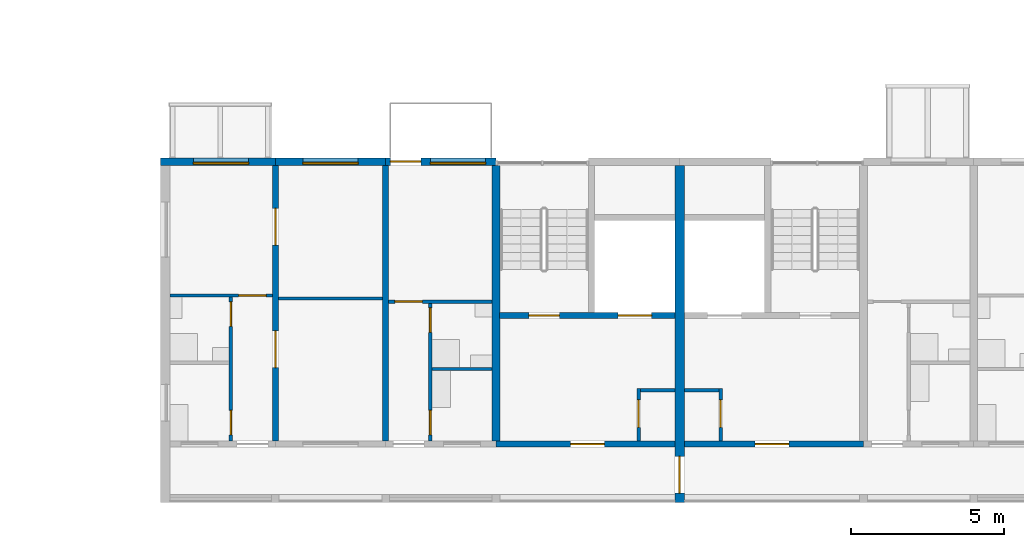
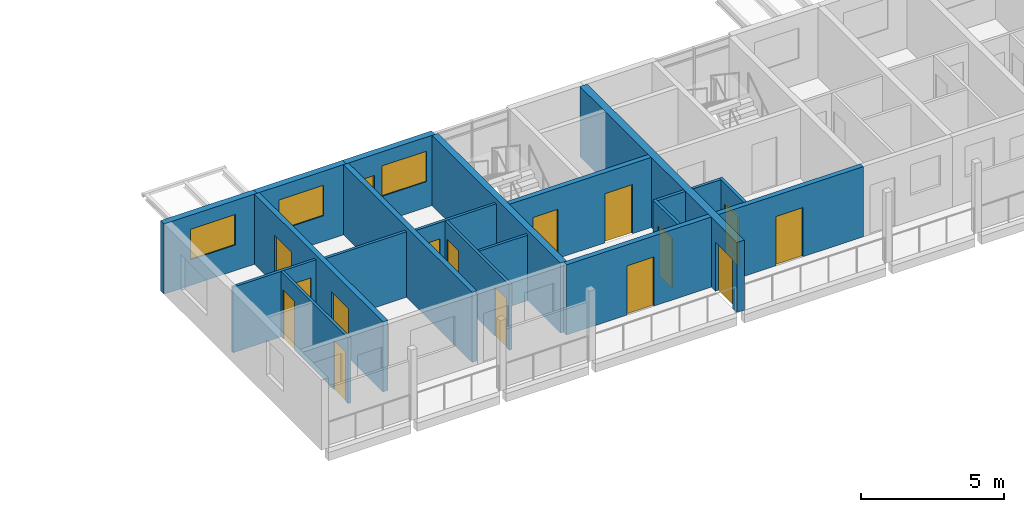
# One storey, part 46 of 98: 20 walls, 16 doors, 3 windows, 19 openings.
"""IFC4 building model written with IfcOpenShell, lengths in metres."""

from ifc_helpers import new_model, si_unit, direction, frame, frame_2d, origin, place, context, subcontext, project, spatial, rectangle, extrude, material, layer, layer_set, type_object, element, fill, save


model = new_model("IFC4")

# Units and contexts
model_context = context("Model", 3, precision=1e-05, world=origin(), true_north=direction((0.0, 1.0)))
body_context = subcontext(model_context, "Body", "Model", "MODEL_VIEW")
ifc_project = project(units=[si_unit("LENGTHUNIT", "METRE"), si_unit("AREAUNIT", "SQUARE_METRE"), si_unit("VOLUMEUNIT", "CUBIC_METRE"), si_unit("PLANEANGLEUNIT", "RADIAN"), si_unit("MASSUNIT", "GRAM", prefix="KILO")], contexts=[model_context])

# Site, building, storey
site_placement = place(None, origin())
site = spatial("IfcSite", under=ifc_project, at=site_placement, CompositionType="ELEMENT")
building_placement = place(site_placement, origin())
building = spatial("IfcBuilding", under=site, at=building_placement, Name="Ridgestep Commons", CompositionType="ELEMENT")
storey_placement = place(building_placement, frame((0.0, 0.0, 12.0)))
storey = spatial("IfcBuildingStorey", under=building, at=storey_placement, Name="L04", CompositionType="ELEMENT", Elevation=12.0)

# Wall
ifc_material_1 = material(Name="Concrete C30/37", Category="concrete")
ifc_layer_1 = layer(ifc_material_1, 0.25)
ifc_layer_set_1 = layer_set([ifc_layer_1], Name="Core cross wall 250")
wall_type_1 = type_object("IfcWallType", Name="Core cross wall 250", PredefinedType="SHEAR", material=ifc_layer_set_1)
wall_1_placement = place(storey_placement, frame((157.60009765625, 13.75, 0.0), z_axis=(0.0, 0.0, 1.0), x_axis=(0.0, 1.0, 0.0)))
element("IfcWall", 1, at=wall_1_placement, inside=storey, type_object=wall_type_1, Name="Cross wall D-04-1576", PredefinedType="SHEAR", context=body_context, shape_type="SweptSolid", body=[
    extrude(rectangle(XDim=9.0, YDim=0.25, at=frame_2d((4.5, 0.0))), origin(), (0.0, 0.0, 1.0), 3.0),
])

# Wall, opening, door
ifc_material_2 = material(Name="Concrete C30/37", Category="concrete")
ifc_layer_2 = layer(ifc_material_2, 0.199951171875)
ifc_layer_set_2 = layer_set([ifc_layer_2], Name="Core south wall 200")
wall_type_2 = type_object("IfcWallType", Name="Core south wall 200", PredefinedType="SHEAR", material=ifc_layer_set_2)
wall_2_placement = place(storey_placement, frame((157.60009765625, 13.64990234375, 0.0), z_axis=(0.0, 0.0, 1.0), x_axis=(1.0, 0.0, 0.0)))
wall_2 = element("IfcWall", 2, at=wall_2_placement, inside=storey, type_object=wall_type_2, Name="Core south wall D1C L04", PredefinedType="SHEAR", context=body_context, shape_type="SweptSolid", body=[
    extrude(rectangle(XDim=5.849853515625, YDim=0.199951171875, at=frame_2d((2.9248046875, 0.0))), origin(), (0.0, 0.0, 1.0), 3.0),
])
opening_1_placement = place(wall_2_placement, frame((2.4375, 0.0, 0.0)))
opening_1 = element("IfcOpeningElement", 3, at=opening_1_placement, cuts=wall_2, Name="Opening D1C/04/1", PredefinedType="OPENING", context=body_context, shape_type="SweptSolid", body=[
    extrude(rectangle(XDim=1.10009765625, YDim=2.10009765625, at=frame_2d((0.550048828125, 1.050048828125))), frame((0.0, 0.10986328125, 0.0), z_axis=(0.0, -1.0, 0.0), x_axis=(1.0, 0.0, 0.0)), (0.0, 0.0, 1.0), 0.219970703125),
])
ifc_material_3 = material(Name="Steel fire door", Category="steel")
door_type_1 = type_object("IfcDoorType", Name="Lobby door 1100 x 2100 FD60", OperationType="NOTDEFINED", PredefinedType="DOOR", material=ifc_material_3)
door_1_placement = place(opening_1_placement, origin())
door_1 = element("IfcDoor", 4, at=door_1_placement, inside=storey, type_object=door_type_1, Name="Lobby door D1C/04/1", OperationType="SINGLE_SWING_LEFT", OverallHeight=2.10009765625, OverallWidth=1.10009765625, PredefinedType="DOOR", context=body_context, shape_type="SweptSolid", body=[
    extrude(rectangle(XDim=1.10009765625, YDim=2.10009765625, at=frame_2d((0.550048828125, 1.050048828125))), frame((0.0, 0.02490234375, 0.0), z_axis=(0.0, -1.0, 0.0), x_axis=(1.0, 0.0, 0.0)), (0.0, 0.0, 1.0), 0.050048828125),
])
fill(opening_1, door_1)

wall_3_placement = place(storey_placement, frame((163.75, 13.64990234375, 0.0), z_axis=(0.0, 0.0, 1.0), x_axis=(1.0, 0.0, 0.0)))
wall_3 = element("IfcWall", 5, at=wall_3_placement, inside=storey, type_object=wall_type_2, Name="Core south wall D2C L04", PredefinedType="SHEAR", context=body_context, shape_type="SweptSolid", body=[
    extrude(rectangle(XDim=5.85009765625, YDim=0.199951171875, at=frame_2d((2.925048828125, 0.0))), origin(), (0.0, 0.0, 1.0), 3.0),
])
opening_2_placement = place(wall_3_placement, frame((2.3125, 0.0, 0.0)))
opening_2 = element("IfcOpeningElement", 6, at=opening_2_placement, cuts=wall_3, Name="Opening D2C/04/1", PredefinedType="OPENING", context=body_context, shape_type="SweptSolid", body=[
    extrude(rectangle(XDim=1.10009765625, YDim=2.10009765625, at=frame_2d((0.550048828125, 1.050048828125))), frame((0.0, 0.10986328125, 0.0), z_axis=(0.0, -1.0, 0.0), x_axis=(1.0, 0.0, 0.0)), (0.0, 0.0, 1.0), 0.219970703125),
])
door_2_placement = place(opening_2_placement, origin())
door_2 = element("IfcDoor", 7, at=door_2_placement, inside=storey, type_object=door_type_1, Name="Lobby door D2C/04/1", OperationType="SINGLE_SWING_LEFT", OverallHeight=2.10009765625, OverallWidth=1.10009765625, PredefinedType="DOOR", context=body_context, shape_type="SweptSolid", body=[
    extrude(rectangle(XDim=1.10009765625, YDim=2.10009765625, at=frame_2d((0.550048828125, 1.050048828125))), frame((0.0, 0.02490234375, 0.0), z_axis=(0.0, -1.0, 0.0), x_axis=(1.0, 0.0, 0.0)), (0.0, 0.0, 1.0), 0.050048828125),
])
fill(opening_2, door_2)

ifc_material_4 = material(Name="Concrete C30/37", Category="concrete")
ifc_layer_3 = layer(ifc_material_4, 0.1201171875)
ifc_layer_set_3 = layer_set([ifc_layer_3], Name="Core wall 120")
wall_type_3 = type_object("IfcWallType", Name="Core wall 120", PredefinedType="SHEAR", material=ifc_layer_set_3)
wall_4_placement = place(storey_placement, frame((162.260009765625, 13.75, 0.0), z_axis=(0.0, 0.0, 1.0), x_axis=(0.0, 1.0, 0.0)))
wall_4 = element("IfcWall", 8, at=wall_4_placement, inside=storey, type_object=wall_type_3, Name="Core riser w wall D1C L04", PredefinedType="SHEAR", context=body_context, shape_type="SweptSolid", body=[
    extrude(rectangle(XDim=1.719970703125, YDim=0.1201171875, at=frame_2d((0.85986328125, 0.0))), origin(), (0.0, 0.0, 1.0), 3.0),
])
opening_3_placement = place(wall_4_placement, frame((0.449951171875, 0.0, 0.0)))
opening_3 = element("IfcOpeningElement", 9, at=opening_3_placement, cuts=wall_4, Name="Opening D1C/04/4", PredefinedType="OPENING", context=body_context, shape_type="SweptSolid", body=[
    extrude(rectangle(XDim=0.89990234375, YDim=2.10009765625, at=frame_2d((0.449951171875, 1.050048828125))), frame((0.0, 0.070068359375, 0.0), z_axis=(0.0, -1.0, 0.0), x_axis=(1.0, 0.0, 0.0)), (0.0, 0.0, 1.0), 0.14013671875),
])
ifc_material_5 = material(Name="Steel fire door", Category="steel")
door_type_2 = type_object("IfcDoorType", Name="Riser door 900 x 2100 FD60", OperationType="NOTDEFINED", PredefinedType="DOOR", material=ifc_material_5)
door_3_placement = place(opening_3_placement, origin())
door_3 = element("IfcDoor", 10, at=door_3_placement, inside=storey, type_object=door_type_2, Name="Riser door D1C/04/4", OperationType="SINGLE_SWING_LEFT", OverallHeight=2.10009765625, OverallWidth=0.89990234375, PredefinedType="DOOR", context=body_context, shape_type="SweptSolid", body=[
    extrude(rectangle(XDim=0.89990234375, YDim=2.10009765625, at=frame_2d((0.449951171875, 1.050048828125))), frame((0.0, 0.02490234375, 0.0), z_axis=(0.0, -1.0, 0.0), x_axis=(1.0, 0.0, 0.0)), (0.0, 0.0, 1.0), 0.050048828125),
])
fill(opening_3, door_3)

# Wall
wall_5_placement = place(storey_placement, frame((162.320068359375, 15.409912109375, 0.0), z_axis=(0.0, 0.0, 1.0), x_axis=(1.0, 0.0, 0.0)))
element("IfcWall", 11, at=wall_5_placement, inside=storey, type_object=wall_type_3, Name="Core riser n wall D1C L04", PredefinedType="SHEAR", context=body_context, shape_type="SweptSolid", body=[
    extrude(rectangle(XDim=1.1298828125, YDim=0.1201171875, at=frame_2d((0.56494140625, 0.0))), origin(), (0.0, 0.0, 1.0), 3.0),
])

# Wall, opening, door
wall_6_placement = place(storey_placement, frame((164.93994140625, 13.75, 0.0), z_axis=(0.0, 0.0, 1.0), x_axis=(0.0, 1.0, 0.0)))
wall_6 = element("IfcWall", 12, at=wall_6_placement, inside=storey, type_object=wall_type_3, Name="Core riser w wall D2C L04", PredefinedType="SHEAR", context=body_context, shape_type="SweptSolid", body=[
    extrude(rectangle(XDim=1.719970703125, YDim=0.1201171875, at=frame_2d((0.85986328125, 0.0))), origin(), (0.0, 0.0, 1.0), 3.0),
])
opening_4_placement = place(wall_6_placement, frame((0.449951171875, 0.0, 0.0)))
opening_4 = element("IfcOpeningElement", 13, at=opening_4_placement, cuts=wall_6, Name="Opening D2C/04/4", PredefinedType="OPENING", context=body_context, shape_type="SweptSolid", body=[
    extrude(rectangle(XDim=0.89990234375, YDim=2.10009765625, at=frame_2d((0.449951171875, 1.050048828125))), frame((0.0, 0.070068359375, 0.0), z_axis=(0.0, -1.0, 0.0), x_axis=(1.0, 0.0, 0.0)), (0.0, 0.0, 1.0), 0.14013671875),
])
door_4_placement = place(opening_4_placement, origin())
door_4 = element("IfcDoor", 14, at=door_4_placement, inside=storey, type_object=door_type_2, Name="Riser door D2C/04/4", OperationType="SINGLE_SWING_RIGHT", OverallHeight=2.10009765625, OverallWidth=0.89990234375, PredefinedType="DOOR", context=body_context, shape_type="SweptSolid", body=[
    extrude(rectangle(XDim=0.89990234375, YDim=2.10009765625, at=frame_2d((0.449951171875, 1.050048828125))), frame((0.0, 0.02490234375, 0.0), z_axis=(0.0, -1.0, 0.0), x_axis=(1.0, 0.0, 0.0)), (0.0, 0.0, 1.0), 0.050048828125),
])
fill(opening_4, door_4)

# Wall
wall_7_placement = place(storey_placement, frame((163.75, 15.409912109375, 0.0), z_axis=(0.0, 0.0, 1.0), x_axis=(1.0, 0.0, 0.0)))
element("IfcWall", 15, at=wall_7_placement, inside=storey, type_object=wall_type_3, Name="Core riser n wall D2C L04", PredefinedType="SHEAR", context=body_context, shape_type="SweptSolid", body=[
    extrude(rectangle(XDim=1.1298828125, YDim=0.1201171875, at=frame_2d((0.56494140625, 0.0))), origin(), (0.0, 0.0, 1.0), 3.0),
])

# Wall, openings, doors
ifc_material_6 = material(Name="Concrete C30/37", Category="concrete")
ifc_layer_4 = layer(ifc_material_6, 0.199951171875)
ifc_layer_set_4 = layer_set([ifc_layer_4], Name="Core wall 200")
wall_type_4 = type_object("IfcWallType", Name="Core wall 200", PredefinedType="SHEAR", material=ifc_layer_set_4)
wall_8_placement = place(storey_placement, frame((157.72509765625, 17.85009765625, 0.0), z_axis=(0.0, 0.0, 1.0), x_axis=(1.0, 0.0, 0.0)))
wall_8 = element("IfcWall", 16, at=wall_8_placement, inside=storey, type_object=wall_type_4, Name="Core lobby wall D1C L04", PredefinedType="SHEAR", context=body_context, shape_type="SweptSolid", body=[
    extrude(rectangle(XDim=5.724853515625, YDim=0.199951171875, at=frame_2d((2.8623046875, 0.0))), origin(), (0.0, 0.0, 1.0), 3.0),
])
opening_5_placement = place(wall_8_placement, frame((0.949951171875, 0.0, 0.0)))
opening_5 = element("IfcOpeningElement", 17, at=opening_5_placement, cuts=wall_8, Name="Opening D1C/04/2", PredefinedType="OPENING", context=body_context, shape_type="SweptSolid", body=[
    extrude(rectangle(XDim=1.0, YDim=2.10009765625, at=frame_2d((0.5, 1.050048828125))), frame((0.0, 0.10986328125, 0.0), z_axis=(0.0, -1.0, 0.0), x_axis=(1.0, 0.0, 0.0)), (0.0, 0.0, 1.0), 0.219970703125),
])
opening_6_placement = place(wall_8_placement, frame((3.862548828125, 0.0, 0.0)))
opening_6 = element("IfcOpeningElement", 18, at=opening_6_placement, cuts=wall_8, Name="Opening D1C/04/3", PredefinedType="OPENING", context=body_context, shape_type="SweptSolid", body=[
    extrude(rectangle(XDim=1.10009765625, YDim=2.10009765625, at=frame_2d((0.550048828125, 1.050048828125))), frame((0.0, 0.10986328125, 0.0), z_axis=(0.0, -1.0, 0.0), x_axis=(1.0, 0.0, 0.0)), (0.0, 0.0, 1.0), 0.219970703125),
])
ifc_material_7 = material(Name="Stainless steel", Category="steel")
door_type_3 = type_object("IfcDoorType", Name="Lift landing door 1100 x 2100 FD60", OperationType="DOUBLE_DOOR_SLIDING", PredefinedType="DOOR", material=ifc_material_7)
door_5_placement = place(opening_6_placement, origin())
door_5 = element("IfcDoor", 19, at=door_5_placement, inside=storey, type_object=door_type_3, Name="Landing door LD D1C L04", OperationType="DOUBLE_DOOR_SLIDING", OverallHeight=2.10009765625, OverallWidth=1.10009765625, PredefinedType="DOOR", context=body_context, shape_type="SweptSolid", body=[
    extrude(rectangle(XDim=1.10009765625, YDim=2.10009765625, at=frame_2d((0.550048828125, 1.050048828125))), frame((0.0, 0.02490234375, 0.0), z_axis=(0.0, -1.0, 0.0), x_axis=(1.0, 0.0, 0.0)), (0.0, 0.0, 1.0), 0.050048828125),
])
fill(opening_6, door_5)
ifc_material_8 = material(Name="Steel fire door", Category="steel")
door_type_4 = type_object("IfcDoorType", Name="Stair door 1000 x 2100 FD60", OperationType="NOTDEFINED", PredefinedType="DOOR", material=ifc_material_8)
door_6_placement = place(opening_5_placement, origin())
door_6 = element("IfcDoor", 20, at=door_6_placement, inside=storey, type_object=door_type_4, Name="Stair door D1C/04/2", OperationType="SINGLE_SWING_RIGHT", OverallHeight=2.10009765625, OverallWidth=1.0, PredefinedType="DOOR", context=body_context, shape_type="SweptSolid", body=[
    extrude(rectangle(XDim=1.0, YDim=2.10009765625, at=frame_2d((0.5, 1.050048828125))), frame((0.0, 0.02490234375, 0.0), z_axis=(0.0, -1.0, 0.0), x_axis=(1.0, 0.0, 0.0)), (0.0, 0.0, 1.0), 0.050048828125),
])
fill(opening_5, door_6)

ifc_material_9 = material(Name="Precast concrete C40/50", Category="concrete")
ifc_layer_5 = layer(ifc_material_9, 0.199951171875)
ifc_layer_set_5 = layer_set([ifc_layer_5], Name="Cross wall 200")
wall_type_5 = type_object("IfcWallType", Name="Cross wall 200", PredefinedType="SHEAR", material=ifc_layer_set_5)
wall_9_placement = place(storey_placement, frame((150.39990234375, 13.75, 0.0), z_axis=(0.0, 0.0, 1.0), x_axis=(0.0, 1.0, 0.0)))
wall_9 = element("IfcWall", 21, at=wall_9_placement, inside=storey, type_object=wall_type_5, Name="Cross wall D-04-1504", PredefinedType="SHEAR", context=body_context, shape_type="SweptSolid", body=[
    extrude(rectangle(XDim=9.0, YDim=0.199951171875, at=frame_2d((4.5, 0.0))), origin(), (0.0, 0.0, 1.0), 3.0),
])
opening_7_placement = place(wall_9_placement, frame((2.39990234375, 0.0, 0.0)))
opening_7 = element("IfcOpeningElement", 22, at=opening_7_placement, cuts=wall_9, Name="Opening D1-04a/5", PredefinedType="OPENING", context=body_context, shape_type="SweptSolid", body=[
    extrude(rectangle(XDim=1.199951171875, YDim=2.10009765625, at=frame_2d((0.60009765625, 1.050048828125))), frame((0.0, 0.10986328125, 0.0), z_axis=(0.0, -1.0, 0.0), x_axis=(1.0, 0.0, 0.0)), (0.0, 0.0, 1.0), 0.219970703125),
])
opening_8_placement = place(wall_9_placement, frame((6.39990234375, 0.0, 0.0)))
opening_8 = element("IfcOpeningElement", 23, at=opening_8_placement, cuts=wall_9, Name="Opening D1-04a/6", PredefinedType="OPENING", context=body_context, shape_type="SweptSolid", body=[
    extrude(rectangle(XDim=1.199951171875, YDim=2.10009765625, at=frame_2d((0.60009765625, 1.050048828125))), frame((0.0, 0.10986328125, 0.0), z_axis=(0.0, -1.0, 0.0), x_axis=(1.0, 0.0, 0.0)), (0.0, 0.0, 1.0), 0.219970703125),
])
ifc_material_10 = material(Name="Timber door leaf", Category="wood")
door_type_5 = type_object("IfcDoorType", Name="Double door 1200 x 2100", OperationType="DOUBLE_DOOR_SINGLE_SWING", PredefinedType="DOOR", material=ifc_material_10)
door_7_placement = place(opening_7_placement, origin())
door_7 = element("IfcDoor", 24, at=door_7_placement, inside=storey, type_object=door_type_5, Name="Double door D1-04a/5", OperationType="DOUBLE_DOOR_SINGLE_SWING", OverallHeight=2.10009765625, OverallWidth=1.199951171875, PredefinedType="DOOR", context=body_context, shape_type="SweptSolid", body=[
    extrude(rectangle(XDim=1.199951171875, YDim=2.10009765625, at=frame_2d((0.60009765625, 1.050048828125))), frame((0.0, 0.02490234375, 0.0), z_axis=(0.0, -1.0, 0.0), x_axis=(1.0, 0.0, 0.0)), (0.0, 0.0, 1.0), 0.050048828125),
])
fill(opening_7, door_7)
door_8_placement = place(opening_8_placement, origin())
door_8 = element("IfcDoor", 25, at=door_8_placement, inside=storey, type_object=door_type_5, Name="Double door D1-04a/6", OperationType="DOUBLE_DOOR_SINGLE_SWING", OverallHeight=2.10009765625, OverallWidth=1.199951171875, PredefinedType="DOOR", context=body_context, shape_type="SweptSolid", body=[
    extrude(rectangle(XDim=1.199951171875, YDim=2.10009765625, at=frame_2d((0.60009765625, 1.050048828125))), frame((0.0, 0.02490234375, 0.0), z_axis=(0.0, -1.0, 0.0), x_axis=(1.0, 0.0, 0.0)), (0.0, 0.0, 1.0), 0.050048828125),
])
fill(opening_8, door_8)

# Wall
wall_10_placement = place(storey_placement, frame((154.0, 13.75, 0.0), z_axis=(0.0, 0.0, 1.0), x_axis=(0.0, 1.0, 0.0)))
element("IfcWall", 26, at=wall_10_placement, inside=storey, type_object=wall_type_5, Name="Cross wall D-04-1540", PredefinedType="SHEAR", context=body_context, shape_type="SweptSolid", body=[
    extrude(rectangle(XDim=9.0, YDim=0.199951171875, at=frame_2d((4.5, 0.0))), origin(), (0.0, 0.0, 1.0), 3.0),
])

# Wall, opening, door
ifc_material_11 = material(Name="Precast concrete C40/50", Category="concrete")
ifc_layer_6 = layer(ifc_material_11, 0.300048828125)
ifc_layer_set_6 = layer_set([ifc_layer_6], Name="Division wall 300")
wall_type_6 = type_object("IfcWallType", Name="Division wall 300", PredefinedType="SHEAR", material=ifc_layer_set_6)
wall_11_placement = place(storey_placement, frame((163.60009765625, 11.75, 0.0), z_axis=(0.0, 0.0, 1.0), x_axis=(0.0, 1.0, 0.0)))
wall_11 = element("IfcWall", 27, at=wall_11_placement, inside=storey, type_object=wall_type_6, Name="Cross wall D-04-1636", PredefinedType="SHEAR", context=body_context, shape_type="SweptSolid", body=[
    extrude(rectangle(XDim=11.0, YDim=0.300048828125, at=frame_2d((5.5, 0.0))), origin(), (0.0, 0.0, 1.0), 3.0),
])
opening_9_placement = place(wall_11_placement, frame((0.300048828125, 0.0, 0.0)))
opening_9 = element("IfcOpeningElement", 28, at=opening_9_placement, cuts=wall_11, Name="Opening D/04/G1636", PredefinedType="OPENING", context=body_context, shape_type="SweptSolid", body=[
    extrude(rectangle(XDim=1.199951171875, YDim=2.10009765625, at=frame_2d((0.60009765625, 1.050048828125))), frame((0.0, 0.159912109375, 0.0), z_axis=(0.0, -1.0, 0.0), x_axis=(1.0, 0.0, 0.0)), (0.0, 0.0, 1.0), 0.320068359375),
])
ifc_material_12 = material(Name="Steel fire door", Category="steel")
door_type_6 = type_object("IfcDoorType", Name="Division fire door 1200 x 2100 EI 240", OperationType="DOUBLE_DOOR_SINGLE_SWING", PredefinedType="DOOR", material=ifc_material_12)
door_9_placement = place(opening_9_placement, origin())
door_9 = element("IfcDoor", 29, at=door_9_placement, inside=storey, type_object=door_type_6, Name="Division fire door D/04/G1636", OperationType="DOUBLE_DOOR_SINGLE_SWING", OverallHeight=2.10009765625, OverallWidth=1.199951171875, PredefinedType="DOOR", context=body_context, shape_type="SweptSolid", body=[
    extrude(rectangle(XDim=1.199951171875, YDim=2.10009765625, at=frame_2d((0.60009765625, 1.050048828125))), frame((0.0, 0.02490234375, 0.0), z_axis=(0.0, -1.0, 0.0), x_axis=(1.0, 0.0, 0.0)), (0.0, 0.0, 1.0), 0.050048828125),
])
fill(opening_9, door_9)

# Wall, opening, window
ifc_material_13 = material(Name="Precast concrete C40/50", Category="concrete")
ifc_layer_7 = layer(ifc_material_13, 0.25)
ifc_layer_set_7 = layer_set([ifc_layer_7], Name="North facade panel 250")
wall_type_7 = type_object("IfcWallType", Name="North facade panel 250", PredefinedType="SOLIDWALL", material=ifc_layer_set_7)
wall_12_placement = place(storey_placement, frame((146.64990234375, 22.875, 0.0), z_axis=(0.0, 0.0, 1.0), x_axis=(1.0, 0.0, 0.0)))
wall_12 = element("IfcWall", 30, at=wall_12_placement, inside=storey, type_object=wall_type_7, Name="North panel D1T1 L04", PredefinedType="SOLIDWALL", context=body_context, shape_type="SweptSolid", body=[
    extrude(rectangle(XDim=3.75, YDim=0.25, at=frame_2d((1.875, 0.0))), origin(), (0.0, 0.0, 1.0), 3.0),
])
opening_10_placement = place(wall_12_placement, frame((1.074951171875, 0.0, 1.10009765625)))
opening_10 = element("IfcOpeningElement", 31, at=opening_10_placement, cuts=wall_12, Name="Opening W18", PredefinedType="OPENING", context=body_context, shape_type="SweptSolid", body=[
    extrude(rectangle(XDim=1.800048828125, YDim=1.300048828125, at=frame_2d((0.89990234375, 0.64990234375))), frame((0.0, 0.135009765625, 0.0), z_axis=(0.0, -1.0, 0.0), x_axis=(1.0, 0.0, 0.0)), (0.0, 0.0, 1.0), 0.27001953125),
])
ifc_material_14 = material(Name="Aluminium 6063-T6 and glass", Category="aluminium")
window_type = type_object("IfcWindowType", Name="Flat window 1800 x 1300", PartitioningType="DOUBLE_PANEL_VERTICAL", PredefinedType="WINDOW", material=ifc_material_14)
window_1_placement = place(opening_10_placement, origin())
window_1 = element("IfcWindow", 32, at=window_1_placement, inside=storey, type_object=window_type, Name="Window D1-04a 4", OverallHeight=1.300048828125, OverallWidth=1.800048828125, PartitioningType="SINGLE_PANEL", PredefinedType="WINDOW", context=body_context, shape_type="SweptSolid", body=[
    extrude(rectangle(XDim=1.800048828125, YDim=1.300048828125, at=frame_2d((0.89990234375, 0.64990234375))), frame((0.0, -0.02490234375, 0.0), z_axis=(0.0, -1.0, 0.0), x_axis=(1.0, 0.0, 0.0)), (0.0, 0.0, 1.0), 0.06005859375),
])
fill(opening_10, window_1)

wall_13_placement = place(storey_placement, frame((150.39990234375, 22.875, 0.0), z_axis=(0.0, 0.0, 1.0), x_axis=(1.0, 0.0, 0.0)))
wall_13 = element("IfcWall", 33, at=wall_13_placement, inside=storey, type_object=wall_type_7, Name="North panel D1T2 L04", PredefinedType="SOLIDWALL", context=body_context, shape_type="SweptSolid", body=[
    extrude(rectangle(XDim=3.60009765625, YDim=0.25, at=frame_2d((1.800048828125, 0.0))), origin(), (0.0, 0.0, 1.0), 3.0),
])
opening_11_placement = place(wall_13_placement, frame((0.89990234375, 0.0, 1.10009765625)))
opening_11 = element("IfcOpeningElement", 34, at=opening_11_placement, cuts=wall_13, Name="Opening W18", PredefinedType="OPENING", context=body_context, shape_type="SweptSolid", body=[
    extrude(rectangle(XDim=1.800048828125, YDim=1.300048828125, at=frame_2d((0.89990234375, 0.64990234375))), frame((0.0, 0.135009765625, 0.0), z_axis=(0.0, -1.0, 0.0), x_axis=(1.0, 0.0, 0.0)), (0.0, 0.0, 1.0), 0.27001953125),
])
window_2_placement = place(opening_11_placement, origin())
window_2 = element("IfcWindow", 35, at=window_2_placement, inside=storey, type_object=window_type, Name="Window D1-04a 2", OverallHeight=1.300048828125, OverallWidth=1.800048828125, PartitioningType="SINGLE_PANEL", PredefinedType="WINDOW", context=body_context, shape_type="SweptSolid", body=[
    extrude(rectangle(XDim=1.800048828125, YDim=1.300048828125, at=frame_2d((0.89990234375, 0.64990234375))), frame((0.0, -0.02490234375, 0.0), z_axis=(0.0, -1.0, 0.0), x_axis=(1.0, 0.0, 0.0)), (0.0, 0.0, 1.0), 0.06005859375),
])
fill(opening_11, window_2)

# Wall, openings, door, window
wall_14_placement = place(storey_placement, frame((154.0, 22.875, 0.0), z_axis=(0.0, 0.0, 1.0), x_axis=(1.0, 0.0, 0.0)))
wall_14 = element("IfcWall", 36, at=wall_14_placement, inside=storey, type_object=wall_type_7, Name="North panel D1T3 L04", PredefinedType="SOLIDWALL", context=body_context, shape_type="SweptSolid", body=[
    extrude(rectangle(XDim=3.60009765625, YDim=0.25, at=frame_2d((1.800048828125, 0.0))), origin(), (0.0, 0.0, 1.0), 3.0),
])
opening_12_placement = place(wall_14_placement, frame((1.46240234375, 0.0, 1.10009765625)))
opening_12 = element("IfcOpeningElement", 37, at=opening_12_placement, cuts=wall_14, Name="Opening W18", PredefinedType="OPENING", context=body_context, shape_type="SweptSolid", body=[
    extrude(rectangle(XDim=1.800048828125, YDim=1.300048828125, at=frame_2d((0.89990234375, 0.64990234375))), frame((0.0, 0.135009765625, 0.0), z_axis=(0.0, -1.0, 0.0), x_axis=(1.0, 0.0, 0.0)), (0.0, 0.0, 1.0), 0.27001953125),
])
opening_13_placement = place(wall_14_placement, frame((0.14990234375, 0.0, 0.0)))
opening_13 = element("IfcOpeningElement", 38, at=opening_13_placement, cuts=wall_14, Name="Opening D1-04b/5", PredefinedType="OPENING", context=body_context, shape_type="SweptSolid", body=[
    extrude(rectangle(XDim=1.0, YDim=2.10009765625, at=frame_2d((0.5, 1.050048828125))), frame((0.0, 0.135009765625, 0.0), z_axis=(0.0, -1.0, 0.0), x_axis=(1.0, 0.0, 0.0)), (0.0, 0.0, 1.0), 0.27001953125),
])
ifc_material_15 = material(Name="Aluminium and glass", Category="aluminium")
door_type_7 = type_object("IfcDoorType", Name="Balcony door 1000 x 2100", OperationType="NOTDEFINED", PredefinedType="DOOR", material=ifc_material_15)
door_10_placement = place(opening_13_placement, origin())
door_10 = element("IfcDoor", 39, at=door_10_placement, inside=storey, type_object=door_type_7, Name="Balcony door D1-04b/5", OperationType="SINGLE_SWING_RIGHT", OverallHeight=2.10009765625, OverallWidth=1.0, PredefinedType="DOOR", context=body_context, shape_type="SweptSolid", body=[
    extrude(rectangle(XDim=1.0, YDim=2.10009765625, at=frame_2d((0.5, 1.050048828125))), frame((0.0, 0.02490234375, 0.0), z_axis=(0.0, -1.0, 0.0), x_axis=(1.0, 0.0, 0.0)), (0.0, 0.0, 1.0), 0.050048828125),
])
fill(opening_13, door_10)
window_3_placement = place(opening_12_placement, origin())
window_3 = element("IfcWindow", 40, at=window_3_placement, inside=storey, type_object=window_type, Name="Window D1-04b 2", OverallHeight=1.300048828125, OverallWidth=1.800048828125, PartitioningType="SINGLE_PANEL", PredefinedType="WINDOW", context=body_context, shape_type="SweptSolid", body=[
    extrude(rectangle(XDim=1.800048828125, YDim=1.300048828125, at=frame_2d((0.89990234375, 0.64990234375))), frame((0.0, -0.02490234375, 0.0), z_axis=(0.0, -1.0, 0.0), x_axis=(1.0, 0.0, 0.0)), (0.0, 0.0, 1.0), 0.06005859375),
])
fill(opening_12, window_3)

# Wall, openings, doors
ifc_material_16 = material(Name="Common brick 110 mm", Category="masonry")
ifc_layer_8 = layer(ifc_material_16, 0.110107421875)
ifc_layer_set_8 = layer_set([ifc_layer_8], Name="Partition 110")
wall_type_8 = type_object("IfcWallType", Name="Partition 110", PredefinedType="PARTITIONING", material=ifc_layer_set_8)
wall_15_placement = place(storey_placement, frame((148.945068359375, 13.75, 0.0), z_axis=(0.0, 0.0, 1.0), x_axis=(0.0, 1.0, 0.0)))
wall_15 = element("IfcWall", 41, at=wall_15_placement, inside=storey, type_object=wall_type_8, Name="Partition D1-04a", PredefinedType="PARTITIONING", context=body_context, shape_type="SweptSolid", body=[
    extrude(rectangle(XDim=4.699951171875, YDim=0.110107421875, at=frame_2d((2.35009765625, 0.0))), origin(), (0.0, 0.0, 1.0), 2.800048828125),
])
opening_14_placement = place(wall_15_placement, frame((0.199951171875, 0.0, 0.0)))
opening_14 = element("IfcOpeningElement", 42, at=opening_14_placement, cuts=wall_15, Name="Opening D1-04a/2", PredefinedType="OPENING", context=body_context, shape_type="SweptSolid", body=[
    extrude(rectangle(XDim=0.800048828125, YDim=2.10009765625, at=frame_2d((0.39990234375, 1.050048828125))), frame((0.0, 0.06494140625, 0.0), z_axis=(0.0, -1.0, 0.0), x_axis=(1.0, 0.0, 0.0)), (0.0, 0.0, 1.0), 0.130126953125),
])
opening_15_placement = place(wall_15_placement, frame((3.75, 0.0, 0.0)))
opening_15 = element("IfcOpeningElement", 43, at=opening_15_placement, cuts=wall_15, Name="Opening D1-04a/3", PredefinedType="OPENING", context=body_context, shape_type="SweptSolid", body=[
    extrude(rectangle(XDim=0.800048828125, YDim=2.10009765625, at=frame_2d((0.39990234375, 1.050048828125))), frame((0.0, 0.06494140625, 0.0), z_axis=(0.0, -1.0, 0.0), x_axis=(1.0, 0.0, 0.0)), (0.0, 0.0, 1.0), 0.130126953125),
])
ifc_material_17 = material(Name="Timber door leaf", Category="wood")
door_type_8 = type_object("IfcDoorType", Name="Internal door 800 x 2100", OperationType="NOTDEFINED", PredefinedType="DOOR", material=ifc_material_17)
door_11_placement = place(opening_14_placement, origin())
door_11 = element("IfcDoor", 44, at=door_11_placement, inside=storey, type_object=door_type_8, Name="Internal door D1-04a/2", OperationType="SINGLE_SWING_LEFT", OverallHeight=2.10009765625, OverallWidth=0.800048828125, PredefinedType="DOOR", context=body_context, shape_type="SweptSolid", body=[
    extrude(rectangle(XDim=0.800048828125, YDim=2.10009765625, at=frame_2d((0.39990234375, 1.050048828125))), frame((0.0, 0.02490234375, 0.0), z_axis=(0.0, -1.0, 0.0), x_axis=(1.0, 0.0, 0.0)), (0.0, 0.0, 1.0), 0.050048828125),
])
fill(opening_14, door_11)
door_12_placement = place(opening_15_placement, origin())
door_12 = element("IfcDoor", 45, at=door_12_placement, inside=storey, type_object=door_type_8, Name="Internal door D1-04a/3", OperationType="SINGLE_SWING_RIGHT", OverallHeight=2.10009765625, OverallWidth=0.800048828125, PredefinedType="DOOR", context=body_context, shape_type="SweptSolid", body=[
    extrude(rectangle(XDim=0.800048828125, YDim=2.10009765625, at=frame_2d((0.39990234375, 1.050048828125))), frame((0.0, 0.02490234375, 0.0), z_axis=(0.0, -1.0, 0.0), x_axis=(1.0, 0.0, 0.0)), (0.0, 0.0, 1.0), 0.050048828125),
])
fill(opening_15, door_12)

# Wall, opening, door
wall_16_placement = place(storey_placement, frame((146.949951171875, 18.5048828125, 0.0), z_axis=(0.0, 0.0, 1.0), x_axis=(1.0, 0.0, 0.0)))
wall_16 = element("IfcWall", 46, at=wall_16_placement, inside=storey, type_object=wall_type_8, Name="Partition D1-04a", PredefinedType="PARTITIONING", context=body_context, shape_type="SweptSolid", body=[
    extrude(rectangle(XDim=3.35009765625, YDim=0.110107421875, at=frame_2d((1.675048828125, 0.0))), origin(), (0.0, 0.0, 1.0), 2.800048828125),
])
opening_16_placement = place(wall_16_placement, frame((2.25, 0.0, 0.0)))
opening_16 = element("IfcOpeningElement", 47, at=opening_16_placement, cuts=wall_16, Name="Opening D1-04a/4", PredefinedType="OPENING", context=body_context, shape_type="SweptSolid", body=[
    extrude(rectangle(XDim=0.89990234375, YDim=2.10009765625, at=frame_2d((0.449951171875, 1.050048828125))), frame((0.0, 0.06494140625, 0.0), z_axis=(0.0, -1.0, 0.0), x_axis=(1.0, 0.0, 0.0)), (0.0, 0.0, 1.0), 0.130126953125),
])
ifc_material_18 = material(Name="Timber door leaf", Category="wood")
door_type_9 = type_object("IfcDoorType", Name="Internal door 900 x 2100", OperationType="NOTDEFINED", PredefinedType="DOOR", material=ifc_material_18)
door_13_placement = place(opening_16_placement, origin())
door_13 = element("IfcDoor", 48, at=door_13_placement, inside=storey, type_object=door_type_9, Name="Internal door D1-04a/4", OperationType="SINGLE_SWING_LEFT", OverallHeight=2.10009765625, OverallWidth=0.89990234375, PredefinedType="DOOR", context=body_context, shape_type="SweptSolid", body=[
    extrude(rectangle(XDim=0.89990234375, YDim=2.10009765625, at=frame_2d((0.449951171875, 1.050048828125))), frame((0.0, 0.02490234375, 0.0), z_axis=(0.0, -1.0, 0.0), x_axis=(1.0, 0.0, 0.0)), (0.0, 0.0, 1.0), 0.050048828125),
])
fill(opening_16, door_13)

# Wall
wall_17_placement = place(storey_placement, frame((150.5, 18.405029296875, 0.0), z_axis=(0.0, 0.0, 1.0), x_axis=(1.0, 0.0, 0.0)))
element("IfcWall", 49, at=wall_17_placement, inside=storey, type_object=wall_type_8, Name="Partition D1-04a", PredefinedType="PARTITIONING", context=body_context, shape_type="SweptSolid", body=[
    extrude(rectangle(XDim=3.39990234375, YDim=0.110107421875, at=frame_2d((1.699951171875, 0.0))), origin(), (0.0, 0.0, 1.0), 2.800048828125),
])

# Wall, openings, doors
wall_18_placement = place(storey_placement, frame((155.455078125, 13.75, 0.0), z_axis=(0.0, 0.0, 1.0), x_axis=(0.0, 1.0, 0.0)))
wall_18 = element("IfcWall", 50, at=wall_18_placement, inside=storey, type_object=wall_type_8, Name="Partition D1-04b", PredefinedType="PARTITIONING", context=body_context, shape_type="SweptSolid", body=[
    extrude(rectangle(XDim=4.5, YDim=0.110107421875, at=frame_2d((2.25, 0.0))), origin(), (0.0, 0.0, 1.0), 2.800048828125),
])
opening_17_placement = place(wall_18_placement, frame((0.199951171875, 0.0, 0.0)))
opening_17 = element("IfcOpeningElement", 51, at=opening_17_placement, cuts=wall_18, Name="Opening D1-04b/2", PredefinedType="OPENING", context=body_context, shape_type="SweptSolid", body=[
    extrude(rectangle(XDim=0.800048828125, YDim=2.10009765625, at=frame_2d((0.39990234375, 1.050048828125))), frame((0.0, 0.06494140625, 0.0), z_axis=(0.0, -1.0, 0.0), x_axis=(1.0, 0.0, 0.0)), (0.0, 0.0, 1.0), 0.130126953125),
])
opening_18_placement = place(wall_18_placement, frame((3.550048828125, 0.0, 0.0)))
opening_18 = element("IfcOpeningElement", 52, at=opening_18_placement, cuts=wall_18, Name="Opening D1-04b/3", PredefinedType="OPENING", context=body_context, shape_type="SweptSolid", body=[
    extrude(rectangle(XDim=0.800048828125, YDim=2.10009765625, at=frame_2d((0.39990234375, 1.050048828125))), frame((0.0, 0.06494140625, 0.0), z_axis=(0.0, -1.0, 0.0), x_axis=(1.0, 0.0, 0.0)), (0.0, 0.0, 1.0), 0.130126953125),
])
door_14_placement = place(opening_17_placement, origin())
door_14 = element("IfcDoor", 53, at=door_14_placement, inside=storey, type_object=door_type_8, Name="Internal door D1-04b/2", OperationType="SINGLE_SWING_RIGHT", OverallHeight=2.10009765625, OverallWidth=0.800048828125, PredefinedType="DOOR", context=body_context, shape_type="SweptSolid", body=[
    extrude(rectangle(XDim=0.800048828125, YDim=2.10009765625, at=frame_2d((0.39990234375, 1.050048828125))), frame((0.0, 0.02490234375, 0.0), z_axis=(0.0, -1.0, 0.0), x_axis=(1.0, 0.0, 0.0)), (0.0, 0.0, 1.0), 0.050048828125),
])
fill(opening_17, door_14)
door_15_placement = place(opening_18_placement, origin())
door_15 = element("IfcDoor", 54, at=door_15_placement, inside=storey, type_object=door_type_8, Name="Internal door D1-04b/3", OperationType="SINGLE_SWING_LEFT", OverallHeight=2.10009765625, OverallWidth=0.800048828125, PredefinedType="DOOR", context=body_context, shape_type="SweptSolid", body=[
    extrude(rectangle(XDim=0.800048828125, YDim=2.10009765625, at=frame_2d((0.39990234375, 1.050048828125))), frame((0.0, 0.02490234375, 0.0), z_axis=(0.0, -1.0, 0.0), x_axis=(1.0, 0.0, 0.0)), (0.0, 0.0, 1.0), 0.050048828125),
])
fill(opening_18, door_15)

# Wall
wall_19_placement = place(storey_placement, frame((155.510009765625, 16.10498046875, 0.0), z_axis=(0.0, 0.0, 1.0), x_axis=(1.0, 0.0, 0.0)))
element("IfcWall", 55, at=wall_19_placement, inside=storey, type_object=wall_type_8, Name="Partition D1-04b", PredefinedType="PARTITIONING", context=body_context, shape_type="SweptSolid", body=[
    extrude(rectangle(XDim=1.965087890625, YDim=0.110107421875, at=frame_2d((0.982421875, 0.0))), origin(), (0.0, 0.0, 1.0), 2.800048828125),
])

# Wall, opening, door
wall_20_placement = place(storey_placement, frame((154.10009765625, 18.304931640625, 0.0), z_axis=(0.0, 0.0, 1.0), x_axis=(1.0, 0.0, 0.0)))
wall_20 = element("IfcWall", 56, at=wall_20_placement, inside=storey, type_object=wall_type_8, Name="Partition D1-04b", PredefinedType="PARTITIONING", context=body_context, shape_type="SweptSolid", body=[
    extrude(rectangle(XDim=3.375, YDim=0.110107421875, at=frame_2d((1.6875, 0.0))), origin(), (0.0, 0.0, 1.0), 2.800048828125),
])
opening_19_placement = place(wall_20_placement, frame((0.199951171875, 0.0, 0.0)))
opening_19 = element("IfcOpeningElement", 57, at=opening_19_placement, cuts=wall_20, Name="Opening D1-04b/4", PredefinedType="OPENING", context=body_context, shape_type="SweptSolid", body=[
    extrude(rectangle(XDim=0.89990234375, YDim=2.10009765625, at=frame_2d((0.449951171875, 1.050048828125))), frame((0.0, 0.06494140625, 0.0), z_axis=(0.0, -1.0, 0.0), x_axis=(1.0, 0.0, 0.0)), (0.0, 0.0, 1.0), 0.130126953125),
])
door_16_placement = place(opening_19_placement, origin())
door_16 = element("IfcDoor", 58, at=door_16_placement, inside=storey, type_object=door_type_9, Name="Internal door D1-04b/4", OperationType="SINGLE_SWING_LEFT", OverallHeight=2.10009765625, OverallWidth=0.89990234375, PredefinedType="DOOR", context=body_context, shape_type="SweptSolid", body=[
    extrude(rectangle(XDim=0.89990234375, YDim=2.10009765625, at=frame_2d((0.449951171875, 1.050048828125))), frame((0.0, 0.02490234375, 0.0), z_axis=(0.0, -1.0, 0.0), x_axis=(1.0, 0.0, 0.0)), (0.0, 0.0, 1.0), 0.050048828125),
])
fill(opening_19, door_16)

save(model, "model.ifc")
